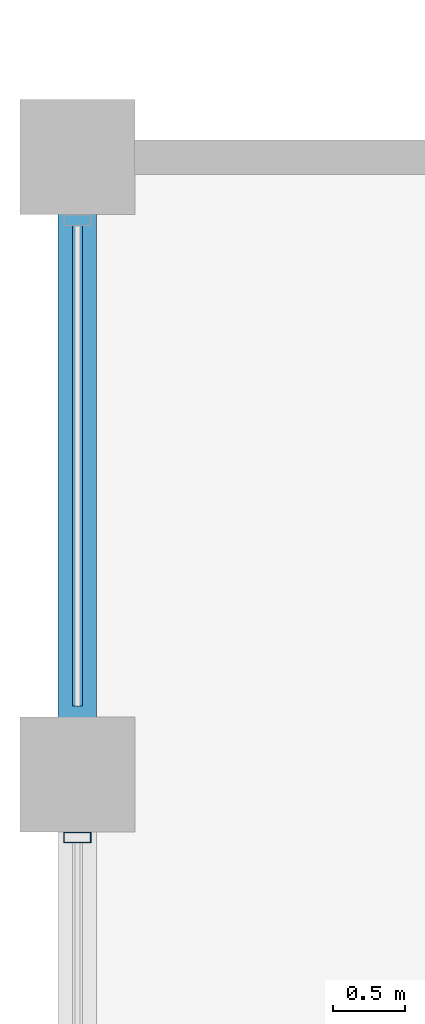
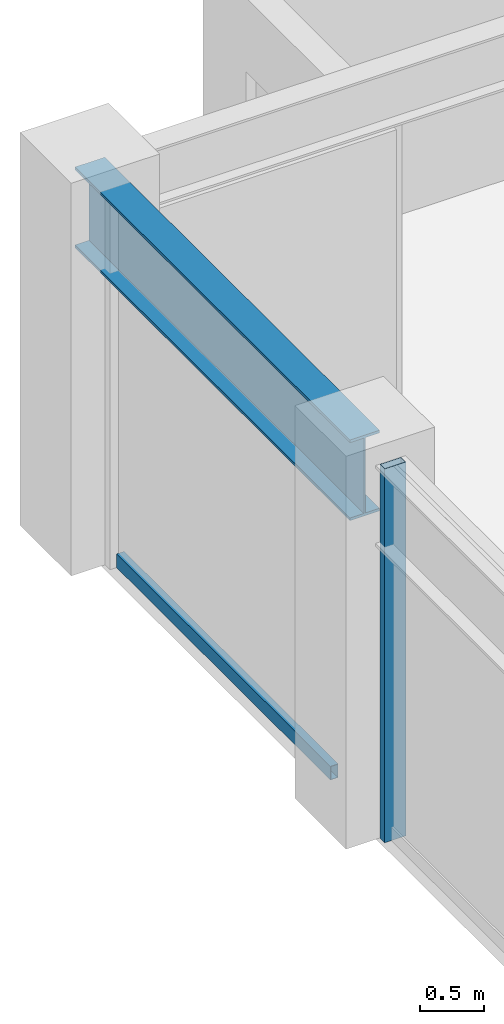
# One storey, part 16 of 32: 2 members, 1 beam, 1 element without a shape of its own.
"""IFC4 building model written with IfcOpenShell, lengths in metres."""

import ifcopenshell
import ifcopenshell.guid

model = None  # the IFC model being written
_history = None  # IfcOwnerHistory: only IFC2X3 demands one
_inside = {}  # id of a spatial element -> (the spatial element, [elements in it])
_under = {}  # id of a project, library or spatial element -> (it, [spatial elements below it])
_declared = {}  # id of a project -> (the project, [libraries it declares])
_typed = {}  # id of a type object -> (the type object, [elements of that type])
_made_of = {}  # id of a material, layer set ... -> (it, [elements and type objects made of it])


def new_model(schema):
    """Start an empty IFC model of exactly this schema.

    Asked for "IFC4X3", IfcOpenShell would pick the latest addendum, in which some entities
    have other attributes; the version numbers below select the first issue.
    IFC2X3 requires an IfcOwnerHistory on every rooted entity: one is made here for all.
    """
    global model, _history
    if schema == "IFC4X3":
        model = ifcopenshell.file(schema_version=(4, 3, 0, 0))
    else:
        model = ifcopenshell.file(schema=schema)
    _inside.clear()
    _under.clear()
    _declared.clear()
    _typed.clear()
    _made_of.clear()
    _history = None
    if model.schema == "IFC2X3":
        org = make("IfcOrganization", Name="unknown")
        user = make(
            "IfcPersonAndOrganization",
            ThePerson=make("IfcPerson", FamilyName="unknown"),
            TheOrganization=org,
        )
        app = make(
            "IfcApplication",
            ApplicationDeveloper=org,
            Version="unknown",
            ApplicationFullName="unknown",
            ApplicationIdentifier="unknown",
        )
        _history = make(
            "IfcOwnerHistory",
            OwningUser=user,
            OwningApplication=app,
            ChangeAction="ADDED",
            CreationDate=0,
        )
    return model


def make(cls, **values):
    """One entity of the class cls with the attributes given. An attribute that is None is left unset."""
    return model.create_entity(
        cls, **{name: value for name, value in values.items() if value is not None}
    )


def rooted(cls, **values):
    """An entity with a GlobalId (a new one), such as an element, a storey or a relation."""
    return make(cls, GlobalId=ifcopenshell.guid.new(), OwnerHistory=_history, **values)


def si_unit(unit_type, name, prefix=None):
    """IfcSIUnit, for example si_unit("LENGTHUNIT", "METRE", prefix="MILLI")."""
    return make("IfcSIUnit", UnitType=unit_type, Prefix=prefix, Name=name)


def assignment(units):
    """IfcUnitAssignment: the units of a project."""
    return None if units is None else make("IfcUnitAssignment", Units=units)


def point(xyz):
    """IfcCartesianPoint."""
    return None if xyz is None else make("IfcCartesianPoint", Coordinates=xyz)


def direction(xyz):
    """IfcDirection."""
    return None if xyz is None else make("IfcDirection", DirectionRatios=xyz)


def frame(location, z_axis=None, x_axis=None):
    """IfcAxis2Placement3D, a coordinate frame: its origin and axes. An axis left out is left unset."""
    return make(
        "IfcAxis2Placement3D",
        Location=point(location),
        Axis=direction(z_axis),
        RefDirection=direction(x_axis),
    )


def frame_2d(location, x_axis=None):
    """IfcAxis2Placement2D, a coordinate frame in the plane: its origin and x axis."""
    return make(
        "IfcAxis2Placement2D", Location=point(location), RefDirection=direction(x_axis)
    )


def origin():
    """The frame at (0, 0, 0) with its axes left unset."""
    return frame((0.0, 0.0, 0.0))


def origin_2d():
    """The frame at (0, 0) in the plane with its x axis left unset."""
    return frame_2d((0.0, 0.0))


def place(relative_to, where):
    """IfcLocalPlacement: puts the frame where relative to a parent placement (None: the world)."""
    return make(
        "IfcLocalPlacement", PlacementRelTo=relative_to, RelativePlacement=where
    )


def context(
    kind, dimensions, precision=None, world=None, true_north=None, identifier=None
):
    """IfcGeometricRepresentationContext, for example the 3D "Model" context."""
    return make(
        "IfcGeometricRepresentationContext",
        ContextIdentifier=identifier,
        ContextType=kind,
        CoordinateSpaceDimension=dimensions,
        Precision=precision,
        WorldCoordinateSystem=world,
        TrueNorth=true_north,
    )


def subcontext(parent, identifier, kind, view, scale=None):
    """IfcGeometricRepresentationSubContext, for example "Body" below "Model"."""
    return make(
        "IfcGeometricRepresentationSubContext",
        ContextIdentifier=identifier,
        ContextType=kind,
        ParentContext=parent,
        TargetScale=scale,
        TargetView=view,
    )


def project(units=None, contexts=None):
    """IfcProject with its units and contexts."""
    return rooted(
        "IfcProject",
        Name="project",
        RepresentationContexts=contexts,
        UnitsInContext=assignment(units),
    )


def spatial(cls, under=None, at=None, **own):
    """A site, building, storey or space (cls), placed at a placement, below another one or the project."""
    s = rooted(cls, ObjectPlacement=at, **own)
    if under is not None:
        _under.setdefault(under.id(), (under, []))[1].append(s)
    return s


def profile(cls, at=None, kind="AREA", **sizes):
    """A parametric profile (cls). Its sizes go by their IFC names, for example OverallWidth=200.0."""
    return make(cls, ProfileType=kind, Position=at, **sizes)


def hollow_rectangle(**sizes):
    """IfcRectangleHollowProfileDef."""
    return profile("IfcRectangleHollowProfileDef", **sizes)


def i_section(**sizes):
    """IfcIShapeProfileDef."""
    return profile("IfcIShapeProfileDef", **sizes)


def extrude(swept, where, along, depth):
    """IfcExtrudedAreaSolid: the profile swept, set in the frame where, extruded along a direction by depth."""
    return make(
        "IfcExtrudedAreaSolid",
        SweptArea=swept,
        Position=where,
        ExtrudedDirection=direction(along),
        Depth=depth,
    )


def shape(context_of_items, identifier, shape_type, items):
    """IfcShapeRepresentation: the items that make up one representation, for example the "Body"."""
    return make(
        "IfcShapeRepresentation",
        ContextOfItems=context_of_items,
        RepresentationIdentifier=identifier,
        RepresentationType=shape_type,
        Items=items,
    )


def material(Name=None, Category=None):
    """IfcMaterial."""
    return make("IfcMaterial", Name=Name, Category=Category)


def layer(
    of_material, thickness, ventilated=None, Name=None, Category=None, Priority=None
):
    """IfcMaterialLayer: one layer of a wall or slab, of a material (None: an air gap)."""
    return make(
        "IfcMaterialLayer",
        Material=of_material,
        LayerThickness=thickness,
        IsVentilated=ventilated,
        Name=Name,
        Category=Category,
        Priority=Priority,
    )


def layer_set(layers, Name=None):
    """IfcMaterialLayerSet."""
    return make("IfcMaterialLayerSet", MaterialLayers=layers, LayerSetName=Name)


def material_profile(
    of_material, cross_section, Name=None, Category=None, Priority=None
):
    """IfcMaterialProfile: a cross section and its material."""
    return make(
        "IfcMaterialProfile",
        Name=Name,
        Material=of_material,
        Profile=cross_section,
        Priority=Priority,
        Category=Category,
    )


def profile_set(profiles, Name=None, composite=None):
    """IfcMaterialProfileSet."""
    return make(
        "IfcMaterialProfileSet",
        Name=Name,
        MaterialProfiles=profiles,
        CompositeProfile=composite,
    )


def made_of(thing, what):
    """Note that an element or type object is made of a material, layer set ...; save() writes the relation."""
    if what is not None:
        _made_of.setdefault(what.id(), (what, []))[1].append(thing)
    return thing


def type_object(cls, material=None, **own):
    """A type object (cls), such as IfcWallType, which elements share."""
    return made_of(rooted(cls, **own), material)


def element(
    cls,
    number,
    at=None,
    inside=None,
    cuts=None,
    type_object=None,
    material=None,
    context=None,
    identifier="Body",
    shape_type=None,
    held_by="IfcProductDefinitionShape",
    body=None,
    shapes=None,
    **own,
):
    """One element of the class cls, such as IfcWall. Its Tag is "e" and its number.

    at: its placement. inside: the storey or other place that contains it. cuts: it is an
    opening in that element (IfcRelVoidsElement). A single representation is given by context,
    identifier, shape_type and body (its items); several are given by shapes. held_by: the class
    of the entity that holds the representations. save() writes the other relations.
    """
    e = rooted(cls, Tag="e%d" % number, ObjectPlacement=at, **own)
    if body is not None:
        shapes = [shape(context, identifier, shape_type, body)]
    if shapes is not None:
        e.Representation = make(held_by, Representations=shapes)
    if inside is not None:
        _inside.setdefault(inside.id(), (inside, []))[1].append(e)
    if cuts is not None:
        rooted(
            "IfcRelVoidsElement", RelatingBuildingElement=cuts, RelatedOpeningElement=e
        )
    if type_object is not None:
        _typed.setdefault(type_object.id(), (type_object, []))[1].append(e)
    return made_of(e, material)


def aggregate(whole, parts):
    """IfcRelAggregates: a whole, such as a stair, and the parts it consists of."""
    return rooted("IfcRelAggregates", RelatingObject=whole, RelatedObjects=parts)


def save(model, path):
    """Write the relations noted so far, then the file.

    IfcRelAggregates (storeys below a building ...), IfcRelContainedInSpatialStructure (elements
    in a storey), IfcRelDefinesByType, IfcRelAssociatesMaterial and IfcRelDeclares: one each for
    every whole, place, type object, material and project.
    """
    for whole, parts in _under.values():
        aggregate(whole, parts)
    for where, things in _inside.values():
        rooted(
            "IfcRelContainedInSpatialStructure",
            RelatedElements=things,
            RelatingStructure=where,
        )
    for kind, things in _typed.values():
        rooted("IfcRelDefinesByType", RelatedObjects=things, RelatingType=kind)
    for what, things in _made_of.values():
        rooted("IfcRelAssociatesMaterial", RelatedObjects=things, RelatingMaterial=what)
    for by, libraries in _declared.values():
        rooted("IfcRelDeclares", RelatingContext=by, RelatedDefinitions=libraries)
    model.write(path)


model = new_model("IFC4")

# Units and contexts
model_context = context("Model", 3, precision=1e-05, world=origin(), true_north=direction((0.0, 1.0)))
body_context = subcontext(model_context, "Body", "Model", "MODEL_VIEW")
ifc_project = project(units=[si_unit("LENGTHUNIT", "METRE"), si_unit("AREAUNIT", "SQUARE_METRE"), si_unit("VOLUMEUNIT", "CUBIC_METRE"), si_unit("PLANEANGLEUNIT", "RADIAN"), si_unit("MASSUNIT", "GRAM", prefix="KILO")], contexts=[model_context])

# Site, building, storey
site_placement = place(None, origin())
site = spatial("IfcSite", under=ifc_project, at=site_placement, CompositionType="ELEMENT")
building_placement = place(site_placement, origin())
building = spatial("IfcBuilding", under=site, at=building_placement, Name="Surkhivell Harbour Commons", CompositionType="ELEMENT")
storey_placement = place(building_placement, frame((0.0, 0.0, 223.5)))
storey = spatial("IfcBuildingStorey", under=building, at=storey_placement, Name="L58", CompositionType="ELEMENT", Elevation=223.5)

# Beam
ifc_material_1 = material(Name="Steel S355", Category="steel")
ifc_material_profile_1 = material_profile(ifc_material_1, i_section(OverallWidth=0.26806640625, OverallDepth=0.77001953125, WebThickness=0.015625, FlangeThickness=0.025390625, at=origin_2d()), Name="UB762x267x197")
ifc_profile_set_1 = profile_set([ifc_material_profile_1], Name="Steel S355")
beam_type = type_object("IfcBeamType", Name="BM-SPN-762", PredefinedType="SPANDREL", material=ifc_profile_set_1)
beam_placement = place(storey_placement, frame((-27.0, 16.199951171875, 3.18505859375), z_axis=(0.0, 1.0, 0.0), x_axis=(-1.0, 0.0, 0.0)))
element("IfcBeam", 1, at=beam_placement, inside=storey, type_object=beam_type, Name="L58 Tube Spandrel (-27.0,16.2)", PredefinedType="SPANDREL", context=body_context, shape_type="SweptSolid", body=[
    extrude(i_section(OverallWidth=0.26806640625, OverallDepth=0.77001953125, WebThickness=0.015625, FlangeThickness=0.025390625, at=origin_2d()), origin(), (0.0, 0.0, 1.0), 4.300048828125),
])

# Curtain wall, members
ifc_material_2 = material(Name="Anodised pale-metal aluminium and insulated glazing", Category="aluminium")
ifc_layer = layer(ifc_material_2, 0.18994140625)
ifc_layer_set = layer_set([ifc_layer], Name="Anodised pale-metal aluminium and insulated glazing")
curtain_wall_type = type_object("IfcCurtainWallType", Name="CW-SYS-Z3", PredefinedType="NOTDEFINED", material=ifc_layer_set)
curtain_wall_placement = place(storey_placement, origin())
curtain_wall = element("IfcCurtainWall", 2, at=curtain_wall_placement, inside=storey, type_object=curtain_wall_type, Name="L58 Curtain Wall CW-L58-E12S1", PredefinedType="NOTDEFINED")
ifc_material_3 = material(Name="Anodised pale-metal aluminium alloy 6063-T6", Category="aluminium")
ifc_material_profile_2 = material_profile(ifc_material_3, hollow_rectangle(XDim=0.074951171875, YDim=0.18994140625, WallThickness=0.00390625, at=origin_2d()), Name="ALU-MULL-75x190")
ifc_profile_set_2 = profile_set([ifc_material_profile_2], Name="Anodised pale-metal aluminium alloy 6063-T6")
member_type_1 = type_object("IfcMemberType", Name="CWM-190", PredefinedType="MULLION", material=ifc_profile_set_2)
member_1_placement = place(storey_placement, frame((-27.0, 15.760498046875, 0.0), z_axis=(0.0, 0.0, 1.0), x_axis=(0.0, -1.0, 0.0)))
member_1 = element("IfcMember", 3, at=member_1_placement, type_object=member_type_1, Name="CW-Z3 mullion 2", PredefinedType="MULLION", context=body_context, shape_type="SweptSolid", body=[
    extrude(hollow_rectangle(XDim=0.074951171875, YDim=0.18994140625, WallThickness=0.00390625, at=origin_2d()), origin(), (0.0, 0.0, 1.0), 3.570068359375),
])
ifc_material_4 = material(Name="Champagne anodised aluminium alloy 6063-T6", Category="aluminium")
ifc_material_profile_3 = material_profile(ifc_material_4, hollow_rectangle(XDim=0.070068359375, YDim=0.1298828125, WallThickness=0.00341796875, at=origin_2d()), Name="ALU-TRAN-70x130")
ifc_profile_set_3 = profile_set([ifc_material_profile_3], Name="Champagne anodised aluminium alloy 6063-T6")
member_type_2 = type_object("IfcMemberType", Name="CWT-130", PredefinedType="USERDEFINED", material=ifc_profile_set_3)
member_2_placement = place(storey_placement, frame((-27.0, 20.02294921875, 0.06494140625), z_axis=(0.0, -1.0, 0.0), x_axis=(1.0, 0.0, 0.0)))
member_2 = element("IfcMember", 4, at=member_2_placement, type_object=member_type_2, Name="CW-Z3 transom 1.1", ObjectType="TRANSOM", PredefinedType="USERDEFINED", context=body_context, shape_type="SweptSolid", body=[
    extrude(hollow_rectangle(XDim=0.070068359375, YDim=0.1298828125, WallThickness=0.00341796875, at=origin_2d()), origin(), (0.0, 0.0, 1.0), 3.345947265625),
])
aggregate(curtain_wall, [member_2, member_1])

save(model, "model.ifc")
